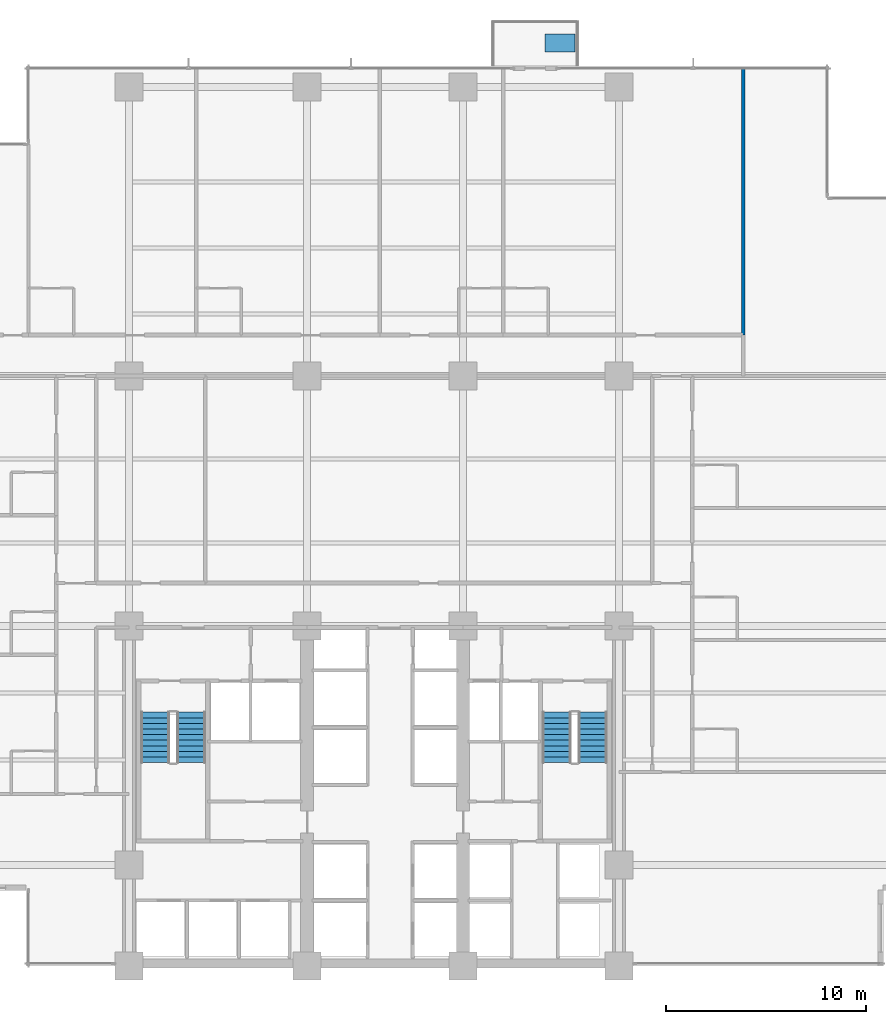
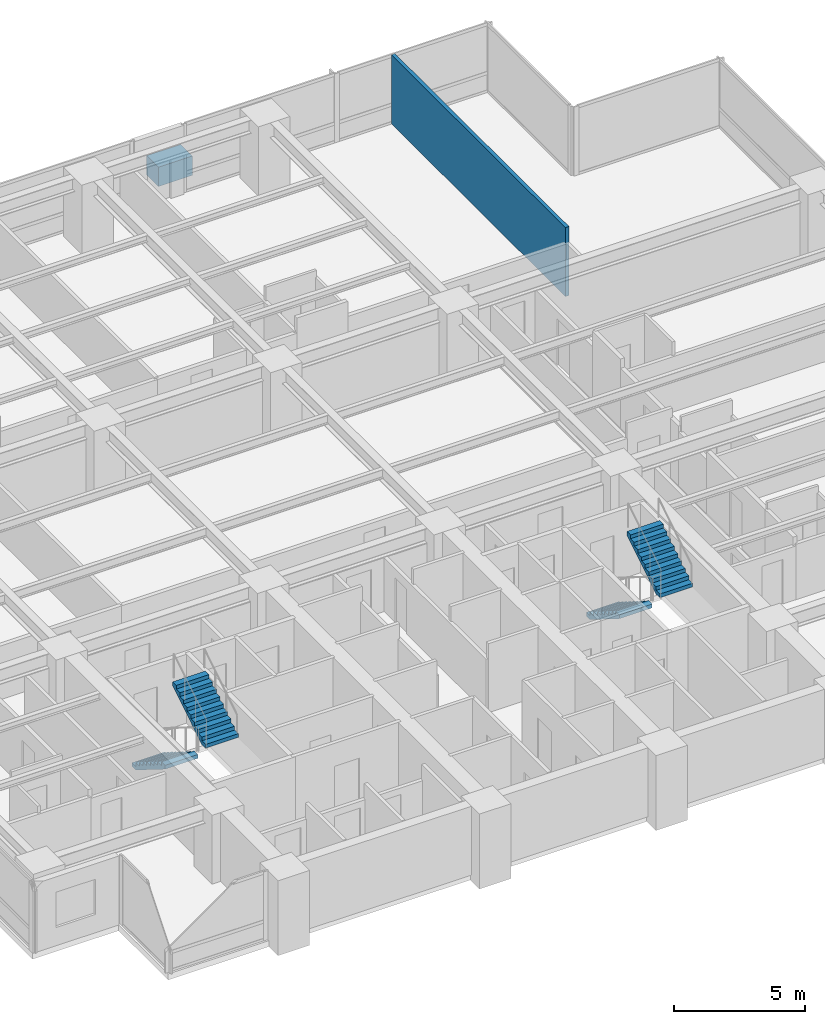
# One storey, part 11 of 16: 4 stair flights, 1 discrete accessory, 1 wall, 2 elements without a shape of their own.
"""IFC4 building model written with IfcOpenShell, lengths in metres."""

from ifc_helpers import new_model, si_unit, direction, frame, frame_2d, origin, place, context, subcontext, project, spatial, polyline, rectangle, outline, extrude, material, layer, layer_set, type_object, element, aggregate, save


model = new_model("IFC4")

# Units and contexts
model_context = context("Model", 3, precision=1e-05, world=origin(), true_north=direction((0.0, 1.0)))
body_context = subcontext(model_context, "Body", "Model", "MODEL_VIEW")
ifc_project = project(units=[si_unit("LENGTHUNIT", "METRE"), si_unit("AREAUNIT", "SQUARE_METRE"), si_unit("VOLUMEUNIT", "CUBIC_METRE"), si_unit("PLANEANGLEUNIT", "RADIAN"), si_unit("MASSUNIT", "GRAM", prefix="KILO")], contexts=[model_context])

# Site, building, storey
site_placement = place(None, origin())
site = spatial("IfcSite", under=ifc_project, at=site_placement, CompositionType="ELEMENT")
building_placement = place(site_placement, origin())
building = spatial("IfcBuilding", under=site, at=building_placement, Name="Qalmaran Belvedere Hotel", CompositionType="ELEMENT")
storey_placement = place(building_placement, frame((0.0, 0.0, 64.89990234375)))
storey = spatial("IfcBuildingStorey", under=building, at=storey_placement, Name="L16", CompositionType="ELEMENT", Elevation=64.89990234375)

# Wall
ifc_material_1 = material(Name="Gypsum Stud Partition")
ifc_layer_1 = layer(ifc_material_1, 0.159912109375, Name="Gypsum Stud Partition")
ifc_layer_set_1 = layer_set([ifc_layer_1], Name="Gypsum Stud Partition")
wall_type = type_object("IfcWallType", Name="WL-INT-160-EI60", PredefinedType="PARTITIONING", material=ifc_layer_set_1)
wall_placement = place(storey_placement, frame((51.0, 35.050048828125, 0.0), z_axis=(0.0, 0.0, 1.0), x_axis=(0.0, 1.0, 0.0)))
element("IfcWall", 1, at=wall_placement, inside=storey, type_object=wall_type, Name="L16 Partition WL-L16-NUR03", PredefinedType="PARTITIONING", context=body_context, shape_type="SweptSolid", body=[
    extrude(rectangle(XDim=13.329833984375, YDim=0.159912109375, at=frame_2d((6.6650390625, 0.0))), origin(), (0.0, 0.0, 1.0), 3.22021484375),
])

# Stair, stair flights
ifc_material_2 = material(Name="Concrete C40/50", Category="concrete")
stair_type_1 = type_object("IfcStairType", Name="STR-ST-1-1450-R1750", PredefinedType="HALF_TURN_STAIR", material=ifc_material_2)
stair_1_placement = place(storey_placement, origin())
stair_1 = element("IfcStair", 2, at=stair_1_placement, inside=storey, type_object=stair_type_1, Name="L16 West Core Exit Stair ST-1", PredefinedType="HALF_TURN_STAIR")
ifc_layer_2 = layer(ifc_material_2, 0.14990234375, Name="Concrete C40/50")
ifc_layer_set_2 = layer_set([ifc_layer_2], Name="Concrete C40/50")
stair_flight_type_1 = type_object("IfcStairFlightType", Name="STF-ST-1-1450-R1750", PredefinedType="STRAIGHT", material=ifc_layer_set_2)
stair_flight_1_placement = place(storey_placement, frame((21.60498046875, 16.18994140625, 0.0), z_axis=(0.0, 0.0, 1.0), x_axis=(0.0, -1.0, 0.0)))
stair_flight_1 = element("IfcStairFlight", 3, at=stair_flight_1_placement, type_object=stair_flight_type_1, Name="ST-1 flight 1", NumberOfRisers=10, NumberOfTreads=9, PredefinedType="STRAIGHT", RiserHeight=0.175, TreadLength=0.28, context=body_context, shape_type="SweptSolid", body=[
    extrude(outline(polyline([(0.0, 0.0), (0.0, 0.175048828125), (0.280029296875, 0.175048828125), (0.280029296875, 0.35009765625), (0.56005859375, 0.35009765625), (0.56005859375, 0.52490234375), (0.840087890625, 0.52490234375), (0.840087890625, 0.699951171875), (1.1201171875, 0.699951171875), (1.1201171875, 0.875), (1.39990234375, 0.875), (1.39990234375, 1.050048828125), (1.679931640625, 1.050048828125), (1.679931640625, 1.22509765625), (1.9599609375, 1.22509765625), (1.9599609375, 1.39990234375), (2.239990234375, 1.39990234375), (2.239990234375, 1.574951171875), (2.52001953125, 1.574951171875), (2.52001953125, 1.75), (2.52001953125, 1.398193359375), (0.28271484375, 0.0), (0.0, 0.0)])), frame((0.0, 0.72509765625, 0.0), z_axis=(0.0, -1.0, 0.0), x_axis=(1.0, 0.0, 0.0)), (0.0, 0.0, 1.0), 1.449951171875),
])
stair_flight_2_placement = place(storey_placement, frame((23.39501953125, 13.669921875, 1.75), z_axis=(0.0, 0.0, 1.0), x_axis=(0.0, 1.0, 0.0)))
stair_flight_2 = element("IfcStairFlight", 4, at=stair_flight_2_placement, type_object=stair_flight_type_1, Name="ST-1 flight 2", NumberOfRisers=10, NumberOfTreads=9, PredefinedType="STRAIGHT", RiserHeight=0.175, TreadLength=0.28, context=body_context, shape_type="SweptSolid", body=[
    extrude(outline(polyline([(0.0, 0.0), (0.0, 0.175048828125), (0.280029296875, 0.175048828125), (0.280029296875, 0.35009765625), (0.56005859375, 0.35009765625), (0.56005859375, 0.52490234375), (0.840087890625, 0.52490234375), (0.840087890625, 0.699951171875), (1.1201171875, 0.699951171875), (1.1201171875, 0.875), (1.39990234375, 0.875), (1.39990234375, 1.050048828125), (1.679931640625, 1.050048828125), (1.679931640625, 1.22509765625), (1.9599609375, 1.22509765625), (1.9599609375, 1.39990234375), (2.239990234375, 1.39990234375), (2.239990234375, 1.574951171875), (2.52001953125, 1.574951171875), (2.52001953125, 1.75), (2.52001953125, 1.398193359375), (0.28271484375, 0.0), (0.0, 0.0)])), frame((0.0, 0.72509765625, 0.0), z_axis=(0.0, -1.0, 0.0), x_axis=(1.0, 0.0, 0.0)), (0.0, 0.0, 1.0), 1.449951171875),
])
aggregate(stair_1, [stair_flight_1, stair_flight_2])

stair_type_2 = type_object("IfcStairType", Name="STR-ST-2-1450-R1750", PredefinedType="HALF_TURN_STAIR", material=ifc_material_2)
stair_2_placement = place(storey_placement, origin())
stair_2 = element("IfcStair", 5, at=stair_2_placement, inside=storey, type_object=stair_type_2, Name="L16 East Core Exit Stair ST-2", PredefinedType="HALF_TURN_STAIR")
ifc_layer_3 = layer(ifc_material_2, 0.14990234375, Name="Concrete C40/50")
ifc_layer_set_3 = layer_set([ifc_layer_3], Name="Concrete C40/50")
stair_flight_type_2 = type_object("IfcStairFlightType", Name="STF-ST-2-1450-R1750", PredefinedType="STRAIGHT", material=ifc_layer_set_3)
stair_flight_3_placement = place(storey_placement, frame((41.68505859375, 16.18994140625, 0.0), z_axis=(0.0, 0.0, 1.0), x_axis=(0.0, -1.0, 0.0)))
stair_flight_3 = element("IfcStairFlight", 6, at=stair_flight_3_placement, type_object=stair_flight_type_2, Name="ST-2 flight 1", NumberOfRisers=10, NumberOfTreads=9, PredefinedType="STRAIGHT", RiserHeight=0.175, TreadLength=0.28, context=body_context, shape_type="SweptSolid", body=[
    extrude(outline(polyline([(0.0, 0.0), (0.0, 0.175048828125), (0.280029296875, 0.175048828125), (0.280029296875, 0.35009765625), (0.56005859375, 0.35009765625), (0.56005859375, 0.52490234375), (0.840087890625, 0.52490234375), (0.840087890625, 0.699951171875), (1.1201171875, 0.699951171875), (1.1201171875, 0.875), (1.39990234375, 0.875), (1.39990234375, 1.050048828125), (1.679931640625, 1.050048828125), (1.679931640625, 1.22509765625), (1.9599609375, 1.22509765625), (1.9599609375, 1.39990234375), (2.239990234375, 1.39990234375), (2.239990234375, 1.574951171875), (2.52001953125, 1.574951171875), (2.52001953125, 1.75), (2.52001953125, 1.398193359375), (0.28271484375, 0.0), (0.0, 0.0)])), frame((0.0, 0.72509765625, 0.0), z_axis=(0.0, -1.0, 0.0), x_axis=(1.0, 0.0, 0.0)), (0.0, 0.0, 1.0), 1.449951171875),
])
stair_flight_4_placement = place(storey_placement, frame((43.47509765625, 13.669921875, 1.75), z_axis=(0.0, 0.0, 1.0), x_axis=(0.0, 1.0, 0.0)))
stair_flight_4 = element("IfcStairFlight", 7, at=stair_flight_4_placement, type_object=stair_flight_type_2, Name="ST-2 flight 2", NumberOfRisers=10, NumberOfTreads=9, PredefinedType="STRAIGHT", RiserHeight=0.175, TreadLength=0.28, context=body_context, shape_type="SweptSolid", body=[
    extrude(outline(polyline([(0.0, 0.0), (0.0, 0.175048828125), (0.280029296875, 0.175048828125), (0.280029296875, 0.35009765625), (0.56005859375, 0.35009765625), (0.56005859375, 0.52490234375), (0.840087890625, 0.52490234375), (0.840087890625, 0.699951171875), (1.1201171875, 0.699951171875), (1.1201171875, 0.875), (1.39990234375, 0.875), (1.39990234375, 1.050048828125), (1.679931640625, 1.050048828125), (1.679931640625, 1.22509765625), (1.9599609375, 1.22509765625), (1.9599609375, 1.39990234375), (2.239990234375, 1.39990234375), (2.239990234375, 1.574951171875), (2.52001953125, 1.574951171875), (2.52001953125, 1.75), (2.52001953125, 1.398193359375), (0.28271484375, 0.0), (0.0, 0.0)])), frame((0.0, 0.72509765625, 0.0), z_axis=(0.0, -1.0, 0.0), x_axis=(1.0, 0.0, 0.0)), (0.0, 0.0, 1.0), 1.449951171875),
])
aggregate(stair_2, [stair_flight_3, stair_flight_4])

# Discrete accessory
discrete_accessory_type = type_object("IfcDiscreteAccessoryType", Name="PLN-BAL-1500", PredefinedType="USERDEFINED", material=ifc_material_2)
discrete_accessory_placement = place(storey_placement, origin())
element("IfcDiscreteAccessory", 8, at=discrete_accessory_placement, inside=storey, type_object=discrete_accessory_type, Name="L16 Sky Tree Planter", ObjectType="PLANTER", PredefinedType="USERDEFINED", context=body_context, shape_type="SweptSolid", body=[
    extrude(outline(polyline([(41.10009765625, 49.199951171875), (42.60009765625, 49.199951171875), (42.60009765625, 50.10009765625), (41.10009765625, 50.10009765625), (41.10009765625, 49.199951171875)])), origin(), (0.0, 0.0, 1.0), 0.900146484375),
])

save(model, "model.ifc")
